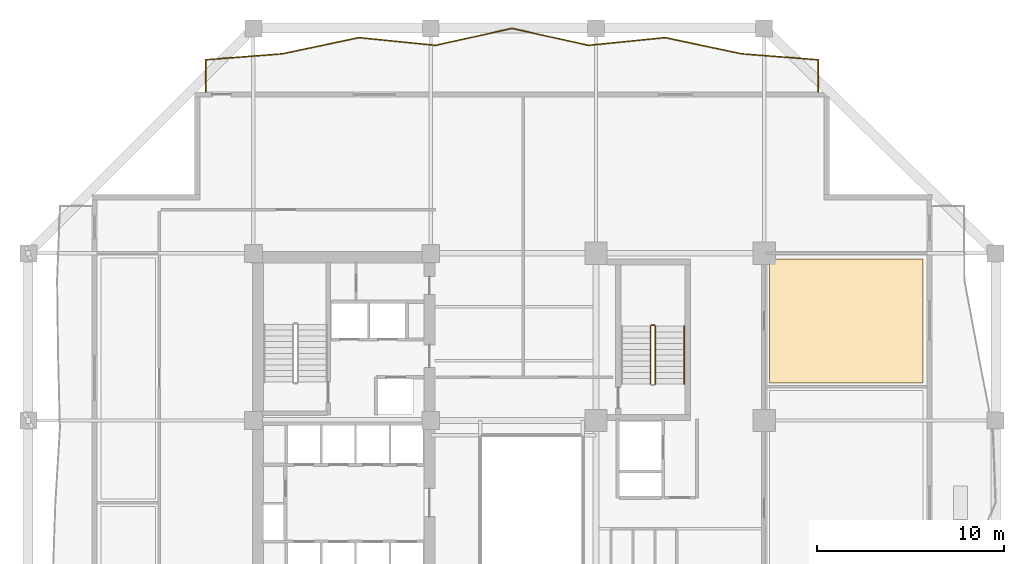
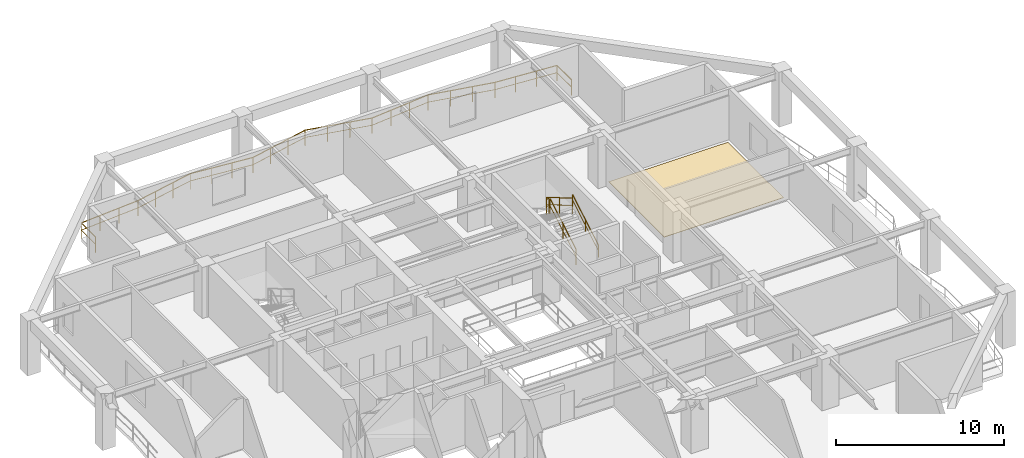
# One storey, part 11 of 12: 5 railings, 1 covering.
"""IFC4 building model written with IfcOpenShell, lengths in metres."""

from ifc_helpers import new_model, si_unit, direction, frame, origin, origin_2d, place, context, subcontext, project, spatial, polyline, rectangle, outline, extrude, material, layer, layer_set, type_object, element, save


model = new_model("IFC4")

# Units and contexts
model_context = context("Model", 3, precision=1e-05, world=origin(), true_north=direction((0.0, 1.0)))
body_context = subcontext(model_context, "Body", "Model", "MODEL_VIEW")
ifc_project = project(units=[si_unit("LENGTHUNIT", "METRE"), si_unit("AREAUNIT", "SQUARE_METRE"), si_unit("VOLUMEUNIT", "CUBIC_METRE"), si_unit("PLANEANGLEUNIT", "RADIAN"), si_unit("MASSUNIT", "GRAM", prefix="KILO")], contexts=[model_context])

# Site, building, storey
site_placement = place(None, origin())
site = spatial("IfcSite", under=ifc_project, at=site_placement, CompositionType="ELEMENT")
building_placement = place(site_placement, origin())
building = spatial("IfcBuilding", under=site, at=building_placement, Name="Kundavana Baori Tower", CompositionType="ELEMENT")
storey_placement = place(building_placement, frame((0.0, 0.0, 38.0)))
storey = spatial("IfcBuildingStorey", under=building, at=storey_placement, Name="L08", CompositionType="ELEMENT", Elevation=38.0)

# Covering
ifc_material_1 = material(Name="Honed Kota Stone and Terrazzo Flooring", Category="masonry")
ifc_layer = layer(ifc_material_1, 0.030029296875, Name="COV-INT-FLR")
ifc_layer_set = layer_set([ifc_layer], Name="Honed Kota Stone and Terrazzo Flooring")
covering_type = type_object("IfcCoveringType", Name="COV-INT-FLR", PredefinedType="FLOORING", material=ifc_layer_set)
covering_placement = place(storey_placement, origin())
element("IfcCovering", 1, at=covering_placement, inside=storey, type_object=covering_type, Name="L08 Room Finished Stone Flooring 7", PredefinedType="FLOORING", context=body_context, shape_type="SweptSolid", body=[
    extrude(outline(polyline([(43.10009765625, 35.0), (51.320068359375, 35.0), (51.320068359375, 41.64990234375), (43.10009765625, 41.64990234375), (43.10009765625, 35.0)])), origin(), (0.0, 0.0, 1.0), 0.030029296875),
])

# Railings
ifc_material_2 = material(Name="Architectural Patinated Bronze Metalwork")
railing_type_1 = type_object("IfcRailingType", Name="RL-BAL-1150", PredefinedType="BALUSTRADE", material=ifc_material_2)
railing_1_placement = place(storey_placement, frame((12.89990234375, 50.60009765625, 0.0)))
element("IfcRailing", 2, at=railing_1_placement, inside=storey, type_object=railing_type_1, Name="L08 Loggia Balcony Balustrade N", PredefinedType="BALUSTRADE", context=body_context, shape_type="SweptSolid", body=[
    extrude(rectangle(XDim=0.048095703125, YDim=0.048095703125, at=origin_2d()), frame((0.0, 0.0, 1.1259765625), z_axis=(0.0, 1.0, 0.0), x_axis=(-1.0, 0.0, 0.0)), (0.0, 0.0, 1.0), 1.719970703125),
    extrude(rectangle(XDim=0.03125, YDim=0.03125, at=origin_2d()), frame((0.0, 0.0, 0.597900390625), z_axis=(0.0, 1.0, 0.0), x_axis=(-1.0, 0.0, 0.0)), (0.0, 0.0, 1.0), 1.719970703125),
    extrude(rectangle(XDim=0.048095703125, YDim=0.048095703125, at=origin_2d()), frame((0.0, 1.719970703125, 1.1259765625), z_axis=(0.996948441127, 0.078062831969, 0.0), x_axis=(-0.078062831969, 0.996948441127, 0.0)), (0.0, 0.0, 1.0), 4.112548828125),
    extrude(rectangle(XDim=0.03125, YDim=0.03125, at=origin_2d()), frame((0.0, 1.719970703125, 0.597900390625), z_axis=(0.996948441127, 0.078062831969, 0.0), x_axis=(-0.078062831969, 0.996948441127, 0.0)), (0.0, 0.0, 1.0), 4.112548828125),
    extrude(rectangle(XDim=0.048095703125, YDim=0.048095703125, at=origin_2d()), frame((4.10009765625, 2.041015625, 1.1259765625), z_axis=(0.978368300168, 0.206870658205, 0.0), x_axis=(-0.206870658205, 0.978368300168, 0.0)), (0.0, 0.0, 1.0), 4.190673828125),
    extrude(rectangle(XDim=0.03125, YDim=0.03125, at=origin_2d()), frame((4.10009765625, 2.041015625, 0.597900390625), z_axis=(0.978368300168, 0.206870658205, 0.0), x_axis=(-0.206870658205, 0.978368300168, 0.0)), (0.0, 0.0, 1.0), 4.190673828125),
    extrude(rectangle(XDim=0.048095703125, YDim=0.048095703125, at=origin_2d()), frame((8.2001953125, 2.907958984375, 1.1259765625), z_axis=(0.994986022152, -0.100014077615, 0.0), x_axis=(0.100014077615, 0.994986022152, 0.0)), (0.0, 0.0, 1.0), 4.12060546875),
    extrude(rectangle(XDim=0.03125, YDim=0.03125, at=origin_2d()), frame((8.2001953125, 2.907958984375, 0.597900390625), z_axis=(0.994986022152, -0.100014077615, 0.0), x_axis=(0.100014077615, 0.994986022152, 0.0)), (0.0, 0.0, 1.0), 4.12060546875),
    extrude(rectangle(XDim=0.048095703125, YDim=0.048095703125, at=origin_2d()), frame((12.300048828125, 2.495849609375, 1.1259765625), z_axis=(0.976542836626, 0.215323218056, 0.0), x_axis=(-0.215323218056, 0.976542836626, 0.0)), (0.0, 0.0, 1.0), 4.198486328125),
    extrude(rectangle(XDim=0.03125, YDim=0.03125, at=origin_2d()), frame((12.300048828125, 2.495849609375, 0.597900390625), z_axis=(0.976542836626, 0.215323218056, 0.0), x_axis=(-0.215323218056, 0.976542836626, 0.0)), (0.0, 0.0, 1.0), 4.198486328125),
    extrude(rectangle(XDim=0.048095703125, YDim=0.048095703125, at=origin_2d()), frame((16.400146484375, 3.39990234375, 1.1259765625), z_axis=(0.976540140403, -0.215335445716, 0.0), x_axis=(0.215335445716, 0.976540140403, 0.0)), (0.0, 0.0, 1.0), 4.1982421875),
    extrude(rectangle(XDim=0.03125, YDim=0.03125, at=origin_2d()), frame((16.400146484375, 3.39990234375, 0.597900390625), z_axis=(0.976540140403, -0.215335445716, 0.0), x_axis=(0.215335445716, 0.976540140403, 0.0)), (0.0, 0.0, 1.0), 4.1982421875),
    extrude(rectangle(XDim=0.048095703125, YDim=0.048095703125, at=origin_2d()), frame((20.5, 2.495849609375, 1.1259765625), z_axis=(0.994986614767, 0.100008181834, 0.0), x_axis=(-0.100008181834, 0.994986614767, 0.0)), (0.0, 0.0, 1.0), 4.120849609375),
    extrude(rectangle(XDim=0.03125, YDim=0.03125, at=origin_2d()), frame((20.5, 2.495849609375, 0.597900390625), z_axis=(0.994986614767, 0.100008181834, 0.0), x_axis=(-0.100008181834, 0.994986614767, 0.0)), (0.0, 0.0, 1.0), 4.120849609375),
    extrude(rectangle(XDim=0.048095703125, YDim=0.048095703125, at=origin_2d()), frame((24.60009765625, 2.907958984375, 1.1259765625), z_axis=(0.978368300168, -0.206870658205, 0.0), x_axis=(0.206870658205, 0.978368300168, 0.0)), (0.0, 0.0, 1.0), 4.190673828125),
    extrude(rectangle(XDim=0.03125, YDim=0.03125, at=origin_2d()), frame((24.60009765625, 2.907958984375, 0.597900390625), z_axis=(0.978368300168, -0.206870658205, 0.0), x_axis=(0.206870658205, 0.978368300168, 0.0)), (0.0, 0.0, 1.0), 4.190673828125),
    extrude(rectangle(XDim=0.048095703125, YDim=0.048095703125, at=origin_2d()), frame((28.7001953125, 2.041015625, 1.1259765625), z_axis=(0.996948079346, -0.078067452173, 0.0), x_axis=(0.078067452173, 0.996948079346, 0.0)), (0.0, 0.0, 1.0), 4.1123046875),
    extrude(rectangle(XDim=0.03125, YDim=0.03125, at=origin_2d()), frame((28.7001953125, 2.041015625, 0.597900390625), z_axis=(0.996948079346, -0.078067452173, 0.0), x_axis=(0.078067452173, 0.996948079346, 0.0)), (0.0, 0.0, 1.0), 4.1123046875),
    extrude(rectangle(XDim=0.048095703125, YDim=0.048095703125, at=origin_2d()), frame((32.800048828125, 1.719970703125, 1.1259765625), z_axis=(0.0, -1.0, 0.0), x_axis=(1.0, 0.0, 0.0)), (0.0, 0.0, 1.0), 1.719970703125),
    extrude(rectangle(XDim=0.03125, YDim=0.03125, at=origin_2d()), frame((32.800048828125, 1.719970703125, 0.597900390625), z_axis=(0.0, -1.0, 0.0), x_axis=(1.0, 0.0, 0.0)), (0.0, 0.0, 1.0), 1.719970703125),
    extrude(rectangle(XDim=0.0419921875, YDim=0.0419921875, at=origin_2d()), origin(), (0.0, 0.0, 1.0), 1.101806640625),
    extrude(rectangle(XDim=0.0419921875, YDim=0.0419921875, at=origin_2d()), frame((0.0, 1.719970703125, 0.0)), (0.0, 0.0, 1.0), 1.101806640625),
    extrude(rectangle(XDim=0.0419921875, YDim=0.0419921875, at=origin_2d()), frame((1.36669921875, 1.826904296875, 0.0)), (0.0, 0.0, 1.0), 1.101806640625),
    extrude(rectangle(XDim=0.0419921875, YDim=0.0419921875, at=origin_2d()), frame((2.7333984375, 1.93408203125, 0.0)), (0.0, 0.0, 1.0), 1.101806640625),
    extrude(rectangle(XDim=0.0419921875, YDim=0.0419921875, at=origin_2d()), frame((4.10009765625, 2.041015625, 0.0)), (0.0, 0.0, 1.0), 1.101806640625),
    extrude(rectangle(XDim=0.0419921875, YDim=0.0419921875, at=origin_2d()), frame((5.466796875, 2.330078125, 0.0)), (0.0, 0.0, 1.0), 1.101806640625),
    extrude(rectangle(XDim=0.0419921875, YDim=0.0419921875, at=origin_2d()), frame((6.83349609375, 2.618896484375, 0.0)), (0.0, 0.0, 1.0), 1.101806640625),
    extrude(rectangle(XDim=0.0419921875, YDim=0.0419921875, at=origin_2d()), frame((8.2001953125, 2.907958984375, 0.0)), (0.0, 0.0, 1.0), 1.101806640625),
    extrude(rectangle(XDim=0.0419921875, YDim=0.0419921875, at=origin_2d()), frame((9.56689453125, 2.7705078125, 0.0)), (0.0, 0.0, 1.0), 1.101806640625),
    extrude(rectangle(XDim=0.0419921875, YDim=0.0419921875, at=origin_2d()), frame((10.933349609375, 2.63330078125, 0.0)), (0.0, 0.0, 1.0), 1.101806640625),
    extrude(rectangle(XDim=0.0419921875, YDim=0.0419921875, at=origin_2d()), frame((12.300048828125, 2.495849609375, 0.0)), (0.0, 0.0, 1.0), 1.101806640625),
    extrude(rectangle(XDim=0.0419921875, YDim=0.0419921875, at=origin_2d()), frame((13.666748046875, 2.797119140625, 0.0)), (0.0, 0.0, 1.0), 1.101806640625),
    extrude(rectangle(XDim=0.0419921875, YDim=0.0419921875, at=origin_2d()), frame((15.033447265625, 3.0986328125, 0.0)), (0.0, 0.0, 1.0), 1.101806640625),
    extrude(rectangle(XDim=0.0419921875, YDim=0.0419921875, at=origin_2d()), frame((16.400146484375, 3.39990234375, 0.0)), (0.0, 0.0, 1.0), 1.101806640625),
    extrude(rectangle(XDim=0.0419921875, YDim=0.0419921875, at=origin_2d()), frame((17.766845703125, 3.0986328125, 0.0)), (0.0, 0.0, 1.0), 1.101806640625),
    extrude(rectangle(XDim=0.0419921875, YDim=0.0419921875, at=origin_2d()), frame((19.13330078125, 2.797119140625, 0.0)), (0.0, 0.0, 1.0), 1.101806640625),
    extrude(rectangle(XDim=0.0419921875, YDim=0.0419921875, at=origin_2d()), frame((20.5, 2.495849609375, 0.0)), (0.0, 0.0, 1.0), 1.101806640625),
    extrude(rectangle(XDim=0.0419921875, YDim=0.0419921875, at=origin_2d()), frame((21.86669921875, 2.63330078125, 0.0)), (0.0, 0.0, 1.0), 1.101806640625),
    extrude(rectangle(XDim=0.0419921875, YDim=0.0419921875, at=origin_2d()), frame((23.2333984375, 2.7705078125, 0.0)), (0.0, 0.0, 1.0), 1.101806640625),
    extrude(rectangle(XDim=0.0419921875, YDim=0.0419921875, at=origin_2d()), frame((24.60009765625, 2.907958984375, 0.0)), (0.0, 0.0, 1.0), 1.101806640625),
    extrude(rectangle(XDim=0.0419921875, YDim=0.0419921875, at=origin_2d()), frame((25.966796875, 2.618896484375, 0.0)), (0.0, 0.0, 1.0), 1.101806640625),
    extrude(rectangle(XDim=0.0419921875, YDim=0.0419921875, at=origin_2d()), frame((27.33349609375, 2.330078125, 0.0)), (0.0, 0.0, 1.0), 1.101806640625),
    extrude(rectangle(XDim=0.0419921875, YDim=0.0419921875, at=origin_2d()), frame((28.7001953125, 2.041015625, 0.0)), (0.0, 0.0, 1.0), 1.101806640625),
    extrude(rectangle(XDim=0.0419921875, YDim=0.0419921875, at=origin_2d()), frame((30.06689453125, 1.93408203125, 0.0)), (0.0, 0.0, 1.0), 1.101806640625),
    extrude(rectangle(XDim=0.0419921875, YDim=0.0419921875, at=origin_2d()), frame((31.433349609375, 1.826904296875, 0.0)), (0.0, 0.0, 1.0), 1.101806640625),
    extrude(rectangle(XDim=0.0419921875, YDim=0.0419921875, at=origin_2d()), frame((32.800048828125, 1.719970703125, 0.0)), (0.0, 0.0, 1.0), 1.101806640625),
    extrude(rectangle(XDim=0.0419921875, YDim=0.0419921875, at=origin_2d()), frame((32.800048828125, 0.0, 0.0)), (0.0, 0.0, 1.0), 1.101806640625),
])
ifc_material_3 = material(Name="Architectural Patinated Bronze Metalwork")
railing_type_2 = type_object("IfcRailingType", Name="RL-GRD-1150", PredefinedType="GUARDRAIL", material=ifc_material_3)
railing_2_placement = place(storey_placement, frame((36.97998046875, 34.949951171875, 0.181884765625)))
element("IfcRailing", 3, at=railing_2_placement, inside=storey, type_object=railing_type_2, Name="L08 ST3 stair guard 1", PredefinedType="GUARDRAIL", context=body_context, shape_type="SweptSolid", body=[
    extrude(rectangle(XDim=0.048095703125, YDim=0.048095703125, at=origin_2d()), frame((0.0, 0.0, 1.1259765625), z_axis=(0.0, 0.862598821094, 0.505888598258), x_axis=(-1.0, 0.0, 0.0)), (0.0, 0.0, 1.0), 3.593994140625),
    extrude(rectangle(XDim=0.03125, YDim=0.03125, at=origin_2d()), frame((0.0, 0.0, 0.597900390625), z_axis=(0.0, 0.862598821094, 0.505888598258), x_axis=(-1.0, 0.0, 0.0)), (0.0, 0.0, 1.0), 3.593994140625),
    extrude(rectangle(XDim=0.0419921875, YDim=0.0419921875, at=origin_2d()), origin(), (0.0, 0.0, 1.0), 1.101806640625),
    extrude(rectangle(XDim=0.0419921875, YDim=0.0419921875, at=origin_2d()), frame((0.0, 1.550048828125, 0.9091796875)), (0.0, 0.0, 1.0), 1.101806640625),
    extrude(rectangle(XDim=0.0419921875, YDim=0.0419921875, at=origin_2d()), frame((0.0, 3.10009765625, 1.818115234375)), (0.0, 0.0, 1.0), 1.101806640625),
])
railing_3_placement = place(storey_placement, frame((36.929931640625, 38.10009765625, 2.0)))
element("IfcRailing", 4, at=railing_3_placement, inside=storey, type_object=railing_type_2, Name="L08 ST3 stair guard 2", PredefinedType="GUARDRAIL", context=body_context, shape_type="SweptSolid", body=[
    extrude(rectangle(XDim=0.048095703125, YDim=0.048095703125, at=origin_2d()), frame((0.0, 0.0, 1.1259765625), z_axis=(-1.0, 0.0, 0.0), x_axis=(0.0, -1.0, 0.0)), (0.0, 0.0, 1.0), 0.159912109375),
    extrude(rectangle(XDim=0.03125, YDim=0.03125, at=origin_2d()), frame((0.0, 0.0, 0.597900390625), z_axis=(-1.0, 0.0, 0.0), x_axis=(0.0, -1.0, 0.0)), (0.0, 0.0, 1.0), 0.159912109375),
    extrude(rectangle(XDim=0.0419921875, YDim=0.0419921875, at=origin_2d()), origin(), (0.0, 0.0, 1.0), 1.101806640625),
    extrude(rectangle(XDim=0.0419921875, YDim=0.0419921875, at=origin_2d()), frame((-0.159912109375, 0.0, 0.0)), (0.0, 0.0, 1.0), 1.101806640625),
])
railing_4_placement = place(storey_placement, frame((36.719970703125, 38.050048828125, 2.181884765625)))
element("IfcRailing", 5, at=railing_4_placement, inside=storey, type_object=railing_type_2, Name="L08 ST3 stair guard 3", PredefinedType="GUARDRAIL", context=body_context, shape_type="SweptSolid", body=[
    extrude(rectangle(XDim=0.048095703125, YDim=0.048095703125, at=origin_2d()), frame((0.0, 0.0, 1.1259765625), z_axis=(0.0, -0.862598821094, 0.505888598258), x_axis=(1.0, 0.0, 0.0)), (0.0, 0.0, 1.0), 3.593994140625),
    extrude(rectangle(XDim=0.03125, YDim=0.03125, at=origin_2d()), frame((0.0, 0.0, 0.597900390625), z_axis=(0.0, -0.862598821094, 0.505888598258), x_axis=(1.0, 0.0, 0.0)), (0.0, 0.0, 1.0), 3.593994140625),
    extrude(rectangle(XDim=0.0419921875, YDim=0.0419921875, at=origin_2d()), origin(), (0.0, 0.0, 1.0), 1.101806640625),
    extrude(rectangle(XDim=0.0419921875, YDim=0.0419921875, at=origin_2d()), frame((0.0, -1.550048828125, 0.9091796875)), (0.0, 0.0, 1.0), 1.101806640625),
    extrude(rectangle(XDim=0.0419921875, YDim=0.0419921875, at=origin_2d()), frame((0.0, -3.10009765625, 1.818115234375)), (0.0, 0.0, 1.0), 1.101806640625),
])
ifc_material_4 = material(Name="Architectural Patinated Bronze Metalwork")
railing_type_3 = type_object("IfcRailingType", Name="RL-HND-920", PredefinedType="HANDRAIL", material=ifc_material_4)
railing_5_placement = place(storey_placement, frame((38.530029296875, 34.949951171875, 0.181884765625)))
element("IfcRailing", 6, at=railing_5_placement, inside=storey, type_object=railing_type_3, Name="L08 ST3 stair handrail 1", PredefinedType="HANDRAIL", context=body_context, shape_type="SweptSolid", body=[
    extrude(rectangle(XDim=0.048095703125, YDim=0.048095703125, at=origin_2d()), frame((0.0, 0.0, 0.8759765625), z_axis=(0.0, 0.862598821094, 0.505888598258), x_axis=(-1.0, 0.0, 0.0)), (0.0, 0.0, 1.0), 3.593994140625),
    extrude(rectangle(XDim=0.03125, YDim=0.03125, at=origin_2d()), frame((0.0, 0.0, 0.468017578125), z_axis=(0.0, 0.862598821094, 0.505888598258), x_axis=(-1.0, 0.0, 0.0)), (0.0, 0.0, 1.0), 3.593994140625),
    extrude(rectangle(XDim=0.0419921875, YDim=0.0419921875, at=origin_2d()), origin(), (0.0, 0.0, 1.0), 0.851806640625),
    extrude(rectangle(XDim=0.0419921875, YDim=0.0419921875, at=origin_2d()), frame((0.0, 1.550048828125, 0.9091796875)), (0.0, 0.0, 1.0), 0.851806640625),
    extrude(rectangle(XDim=0.0419921875, YDim=0.0419921875, at=origin_2d()), frame((0.0, 3.10009765625, 1.818115234375)), (0.0, 0.0, 1.0), 0.851806640625),
])

save(model, "model.ifc")
